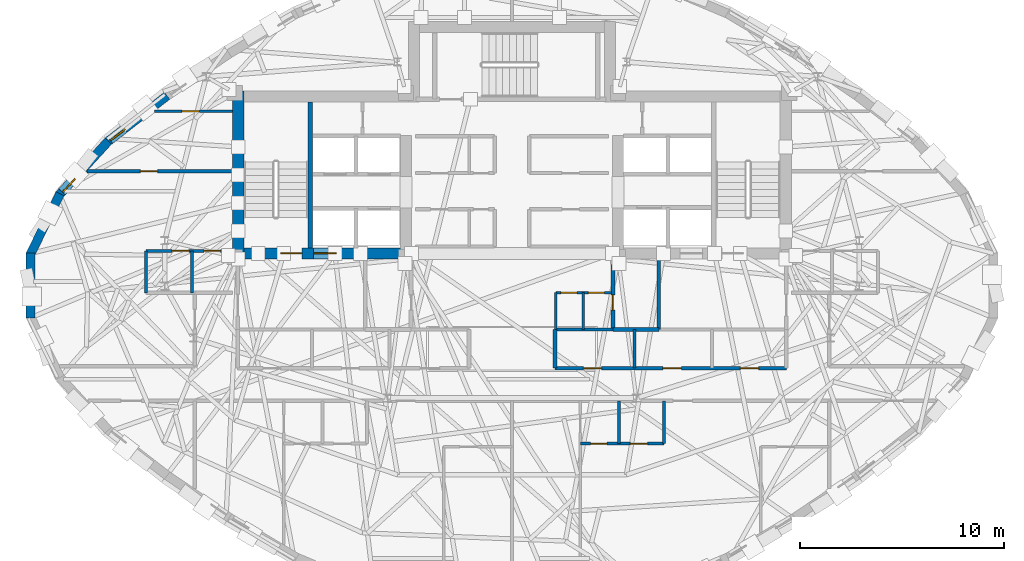
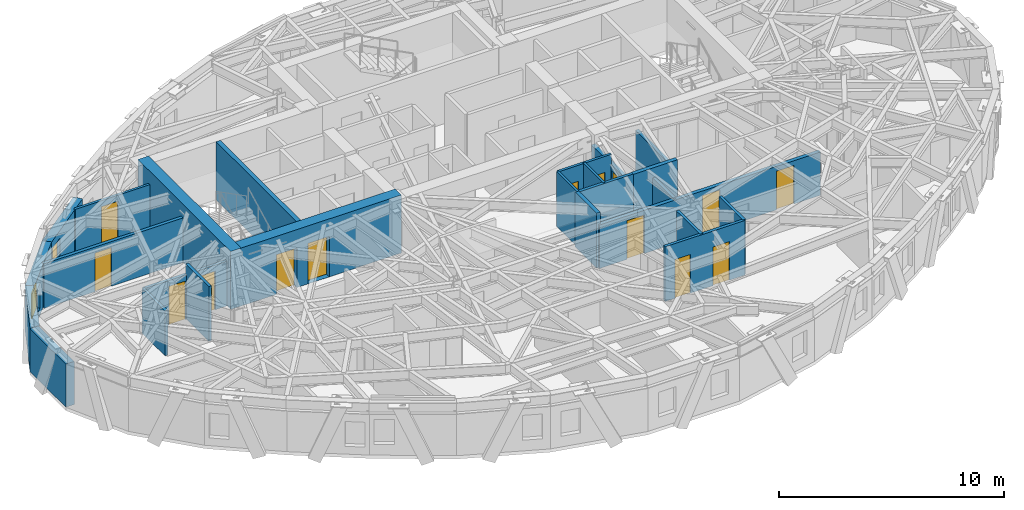
# One storey, part 7 of 13: 25 walls, 14 doors, 2 windows, 16 openings.
"""IFC4 building model written with IfcOpenShell, lengths in metres."""

from ifc_helpers import new_model, si_unit, direction, frame, frame_2d, origin, place, context, subcontext, project, spatial, rectangle, extrude, material, layer, layer_set, type_object, element, fill, save


model = new_model("IFC4")

# Units and contexts
model_context = context("Model", 3, precision=1e-05, world=origin(), true_north=direction((0.0, 1.0)))
body_context = subcontext(model_context, "Body", "Model", "MODEL_VIEW")
ifc_project = project(units=[si_unit("LENGTHUNIT", "METRE"), si_unit("AREAUNIT", "SQUARE_METRE"), si_unit("VOLUMEUNIT", "CUBIC_METRE"), si_unit("PLANEANGLEUNIT", "RADIAN"), si_unit("MASSUNIT", "GRAM", prefix="KILO")], contexts=[model_context])

# Site, building, storey
site_placement = place(None, origin())
site = spatial("IfcSite", under=ifc_project, at=site_placement, CompositionType="ELEMENT")
building_placement = place(site_placement, origin())
building = spatial("IfcBuilding", under=site, at=building_placement, Name="Keldmark Tower", CompositionType="ELEMENT")
storey_placement = place(building_placement, frame((0.0, 0.0, 210.0)))
storey = spatial("IfcBuildingStorey", under=building, at=storey_placement, Name="L58", CompositionType="ELEMENT", Elevation=210.0)

# Wall, openings, doors
ifc_material_1 = material(Name="Heavy Acoustic Plumbing Chase Gypsum Assembly", Category="gypsum")
ifc_layer_1 = layer(ifc_material_1, 0.18994140625)
ifc_layer_set_1 = layer_set([ifc_layer_1], Name="Heavy Acoustic Plumbing Chase Gypsum Assembly")
wall_type_1 = type_object("IfcWallType", Name="Heavy Wet Wall 190 mm", PredefinedType="PLUMBINGWALL", material=ifc_layer_set_1)
wall_1_placement = place(storey_placement, frame((2.10009765625, -4.050048828125, 0.0), z_axis=(0.0, 0.0, 1.0), x_axis=(1.0, 0.0, 0.0)))
wall_1 = element("IfcWall", 1, at=wall_1_placement, inside=storey, type_object=wall_type_1, Name="L58 Heavy Wet Wall 190 mm SPK-E-S", PredefinedType="PLUMBINGWALL", context=body_context, shape_type="SweptSolid", body=[
    extrude(rectangle(XDim=11.349853515625, YDim=0.18994140625, at=frame_2d((5.6748046875, 0.0))), origin(), (0.0, 0.0, 1.0), 2.35693359375),
])
opening_1_placement = place(wall_1_placement, frame((1.39990234375, 0.0, 0.0)))
opening_1 = element("IfcOpeningElement", 2, at=opening_1_placement, cuts=wall_1, Name="Opening D-IN090", PredefinedType="OPENING", context=body_context, shape_type="SweptSolid", body=[
    extrude(rectangle(XDim=0.89990234375, YDim=2.10009765625, at=frame_2d((0.449951171875, 1.050048828125))), frame((0.0, 0.10498046875, 0.0), z_axis=(0.0, -1.0, 0.0), x_axis=(1.0, 0.0, 0.0)), (0.0, 0.0, 1.0), 0.2099609375),
])
opening_2_placement = place(wall_1_placement, frame((5.300048828125, 0.0, 0.0)))
opening_2 = element("IfcOpeningElement", 3, at=opening_2_placement, cuts=wall_1, Name="Opening D-IN090", PredefinedType="OPENING", context=body_context, shape_type="SweptSolid", body=[
    extrude(rectangle(XDim=0.89990234375, YDim=2.10009765625, at=frame_2d((0.449951171875, 1.050048828125))), frame((0.0, 0.10498046875, 0.0), z_axis=(0.0, -1.0, 0.0), x_axis=(1.0, 0.0, 0.0)), (0.0, 0.0, 1.0), 0.2099609375),
])
opening_3_placement = place(wall_1_placement, frame((9.10009765625, 0.0, 0.0)))
opening_3 = element("IfcOpeningElement", 4, at=opening_3_placement, cuts=wall_1, Name="Opening D-IN090", PredefinedType="OPENING", context=body_context, shape_type="SweptSolid", body=[
    extrude(rectangle(XDim=0.89990234375, YDim=2.10009765625, at=frame_2d((0.449951171875, 1.050048828125))), frame((0.0, 0.10498046875, 0.0), z_axis=(0.0, -1.0, 0.0), x_axis=(1.0, 0.0, 0.0)), (0.0, 0.0, 1.0), 0.2099609375),
])
ifc_material_2 = material(Name="Stained American White Oak Veneer", Category="wood")
door_type_1 = type_object("IfcDoorType", Name="Interior Door 900x2100", OperationType="NOTDEFINED", PredefinedType="DOOR", material=ifc_material_2)
door_1_placement = place(opening_1_placement, origin())
door_1 = element("IfcDoor", 5, at=door_1_placement, inside=storey, type_object=door_type_1, Name="L58 Interior Door 900x2100 D-SPKE1-L58", OperationType="SINGLE_SWING_RIGHT", OverallHeight=2.10009765625, OverallWidth=0.89990234375, PredefinedType="DOOR", context=body_context, shape_type="SweptSolid", body=[
    extrude(rectangle(XDim=0.89990234375, YDim=2.10009765625, at=frame_2d((0.449951171875, 1.050048828125))), frame((0.0, 0.02490234375, 0.0), z_axis=(0.0, -1.0, 0.0), x_axis=(1.0, 0.0, 0.0)), (0.0, 0.0, 1.0), 0.050048828125),
])
fill(opening_1, door_1)
door_2_placement = place(opening_2_placement, origin())
door_2 = element("IfcDoor", 6, at=door_2_placement, inside=storey, type_object=door_type_1, Name="L58 Interior Door 900x2100 D-SPKE2-L58", OperationType="SINGLE_SWING_LEFT", OverallHeight=2.10009765625, OverallWidth=0.89990234375, PredefinedType="DOOR", context=body_context, shape_type="SweptSolid", body=[
    extrude(rectangle(XDim=0.89990234375, YDim=2.10009765625, at=frame_2d((0.449951171875, 1.050048828125))), frame((0.0, 0.02490234375, 0.0), z_axis=(0.0, -1.0, 0.0), x_axis=(1.0, 0.0, 0.0)), (0.0, 0.0, 1.0), 0.050048828125),
])
fill(opening_2, door_2)
door_3_placement = place(opening_3_placement, origin())
door_3 = element("IfcDoor", 7, at=door_3_placement, inside=storey, type_object=door_type_1, Name="L58 Interior Door 900x2100 D-SPKE3-L58", OperationType="SINGLE_SWING_RIGHT", OverallHeight=2.10009765625, OverallWidth=0.89990234375, PredefinedType="DOOR", context=body_context, shape_type="SweptSolid", body=[
    extrude(rectangle(XDim=0.89990234375, YDim=2.10009765625, at=frame_2d((0.449951171875, 1.050048828125))), frame((0.0, 0.02490234375, 0.0), z_axis=(0.0, -1.0, 0.0), x_axis=(1.0, 0.0, 0.0)), (0.0, 0.0, 1.0), 0.050048828125),
])
fill(opening_3, door_3)

# Walls
wall_2_placement = place(storey_placement, frame((2.10009765625, -4.050048828125, 0.0), z_axis=(0.0, 0.0, 1.0), x_axis=(0.0, 1.0, 0.0)))
element("IfcWall", 8, at=wall_2_placement, inside=storey, type_object=wall_type_1, Name="L58 Heavy Wet Wall 190 mm SPK-E-W", PredefinedType="PLUMBINGWALL", context=body_context, shape_type="SweptSolid", body=[
    extrude(rectangle(XDim=1.900146484375, YDim=0.18994140625, at=frame_2d((0.9501953125, 0.0))), origin(), (0.0, 0.0, 1.0), 2.969970703125),
])
ifc_material_3 = material(Name="Concrete C50/60", Category="concrete")
ifc_layer_2 = layer(ifc_material_3, 0.550048828125)
ifc_layer_set_2 = layer_set([ifc_layer_2], Name="Concrete C50/60")
wall_type_2 = type_object("IfcWallType", Name="High-Rise Core Shear Wall 550 mm", PredefinedType="SHEAR", material=ifc_layer_set_2)
wall_3_placement = place(storey_placement, frame((-13.425048828125, 1.300048828125, 0.0), z_axis=(0.0, 0.0, 1.0), x_axis=(0.0, 1.0, 0.0)))
element("IfcWall", 9, at=wall_3_placement, inside=storey, type_object=wall_type_2, Name="L58 West Core Outer Shear Wall", PredefinedType="SHEAR", context=body_context, shape_type="SweptSolid", body=[
    extrude(rectangle(XDim=8.25, YDim=0.550048828125, at=frame_2d((4.125, 0.0))), origin(), (0.0, 0.0, 1.0), 3.14990234375),
])

# Wall, openings, doors
wall_4_placement = place(storey_placement, frame((-4.925048828125, 1.574951171875, 0.0), z_axis=(0.0, 0.0, 1.0), x_axis=(-1.0, 0.0, 0.0)))
wall_4 = element("IfcWall", 10, at=wall_4_placement, inside=storey, type_object=wall_type_2, Name="L58 West Core South Shear Wall", PredefinedType="SHEAR", context=body_context, shape_type="SweptSolid", body=[
    extrude(rectangle(XDim=8.77490234375, YDim=0.550048828125, at=frame_2d((4.387451171875, 0.0))), origin(), (0.0, 0.0, 1.0), 3.14990234375),
])
opening_4_placement = place(wall_4_placement, frame((5.375, 0.0, 0.0)))
opening_4 = element("IfcOpeningElement", 11, at=opening_4_placement, cuts=wall_4, Name="Opening D-ST105", PredefinedType="OPENING", context=body_context, shape_type="SweptSolid", body=[
    extrude(rectangle(XDim=1.050048828125, YDim=2.14990234375, at=frame_2d((0.52490234375, 1.074951171875))), frame((0.0, 0.284912109375, 0.0), z_axis=(0.0, -1.0, 0.0), x_axis=(1.0, 0.0, 0.0)), (0.0, 0.0, 1.0), 0.570068359375),
])
opening_5_placement = place(wall_4_placement, frame((3.705078125, 0.0, 0.0)))
opening_5 = element("IfcOpeningElement", 12, at=opening_5_placement, cuts=wall_4, Name="Opening LD-110", PredefinedType="OPENING", context=body_context, shape_type="SweptSolid", body=[
    extrude(rectangle(XDim=1.10009765625, YDim=2.199951171875, at=frame_2d((0.550048828125, 1.10009765625))), frame((0.0, 0.284912109375, 0.0), z_axis=(0.0, -1.0, 0.0), x_axis=(1.0, 0.0, 0.0)), (0.0, 0.0, 1.0), 0.570068359375),
])
ifc_material_4 = material(Name="Brushed Bronze Hoistway Sliding Leaf", Category="metal")
door_type_2 = type_object("IfcDoorType", Name="Lift Landing Sliding Door 1100x2200", OperationType="SLIDING_TO_LEFT", PredefinedType="DOOR", material=ifc_material_4)
door_4_placement = place(opening_5_placement, origin())
door_4 = element("IfcDoor", 13, at=door_4_placement, inside=storey, type_object=door_type_2, Name="L58 Lift Landing Sliding Door 1100x2200 LD-EL-FS1-L58", OperationType="SLIDING_TO_LEFT", OverallHeight=2.199951171875, OverallWidth=1.10009765625, PredefinedType="DOOR", context=body_context, shape_type="SweptSolid", body=[
    extrude(rectangle(XDim=1.10009765625, YDim=2.199951171875, at=frame_2d((0.550048828125, 1.10009765625))), frame((0.0, 0.02490234375, 0.0), z_axis=(0.0, -1.0, 0.0), x_axis=(1.0, 0.0, 0.0)), (0.0, 0.0, 1.0), 0.050048828125),
])
fill(opening_5, door_4)
ifc_material_5 = material(Name="Hollow Metal Fire-Rated Door Assembly", Category="metal")
door_type_3 = type_object("IfcDoorType", Name="Stair Fire Door 1050x2150", OperationType="NOTDEFINED", PredefinedType="DOOR", material=ifc_material_5)
door_5_placement = place(opening_4_placement, origin())
door_5 = element("IfcDoor", 14, at=door_5_placement, inside=storey, type_object=door_type_3, Name="L58 Stair Fire Door 1050x2150 D-ST1-L58", OperationType="SINGLE_SWING_RIGHT", OverallHeight=2.14990234375, OverallWidth=1.050048828125, PredefinedType="DOOR", context=body_context, shape_type="SweptSolid", body=[
    extrude(rectangle(XDim=1.050048828125, YDim=2.14990234375, at=frame_2d((0.52490234375, 1.074951171875))), frame((0.0, 0.02490234375, 0.0), z_axis=(0.0, -1.0, 0.0), x_axis=(1.0, 0.0, 0.0)), (0.0, 0.0, 1.0), 0.050048828125),
])
fill(opening_4, door_5)

ifc_material_6 = material(Name="Acoustic Gypsum Board Interior Partition", Category="gypsum")
ifc_layer_3 = layer(ifc_material_6, 0.1298828125)
ifc_layer_set_3 = layer_set([ifc_layer_3], Name="Acoustic Gypsum Board Interior Partition")
wall_type_3 = type_object("IfcWallType", Name="Interior Partition 130 mm", PredefinedType="PARTITIONING", material=ifc_layer_set_3)
wall_5_placement = place(storey_placement, frame((2.14990234375, -0.35009765625, 0.0), z_axis=(0.0, 0.0, 1.0), x_axis=(1.0, 0.0, 0.0)))
wall_5 = element("IfcWall", 15, at=wall_5_placement, inside=storey, type_object=wall_type_3, Name="L58 Interior Partition 130 mm CSC-E-N", PredefinedType="PARTITIONING", context=body_context, shape_type="SweptSolid", body=[
    extrude(rectangle(XDim=2.72998046875, YDim=0.1298828125, at=frame_2d((1.364990234375, 0.0))), origin(), (0.0, 0.0, 1.0), 2.969970703125),
])
opening_6_placement = place(wall_5_placement, frame((0.25, 0.0, 0.0)))
opening_6 = element("IfcOpeningElement", 16, at=opening_6_placement, cuts=wall_5, Name="Opening D-CL078", PredefinedType="OPENING", context=body_context, shape_type="SweptSolid", body=[
    extrude(rectangle(XDim=0.780029296875, YDim=2.10009765625, at=frame_2d((0.39013671875, 1.050048828125))), frame((0.0, 0.074951171875, 0.0), z_axis=(0.0, -1.0, 0.0), x_axis=(1.0, 0.0, 0.0)), (0.0, 0.0, 1.0), 0.14990234375),
])
opening_7_placement = place(wall_5_placement, frame((1.60009765625, 0.0, 0.0)))
opening_7 = element("IfcOpeningElement", 17, at=opening_7_placement, cuts=wall_5, Name="Opening D-CL078", PredefinedType="OPENING", context=body_context, shape_type="SweptSolid", body=[
    extrude(rectangle(XDim=0.780029296875, YDim=2.10009765625, at=frame_2d((0.39013671875, 1.050048828125))), frame((0.0, 0.074951171875, 0.0), z_axis=(0.0, -1.0, 0.0), x_axis=(1.0, 0.0, 0.0)), (0.0, 0.0, 1.0), 0.14990234375),
])
ifc_material_7 = material(Name="Flush Utility Closet Timber Door", Category="wood")
door_type_4 = type_object("IfcDoorType", Name="Closet Door 780x2100", OperationType="NOTDEFINED", PredefinedType="DOOR", material=ifc_material_7)
door_6_placement = place(opening_6_placement, origin())
door_6 = element("IfcDoor", 18, at=door_6_placement, inside=storey, type_object=door_type_4, Name="L58 Closet Door 780x2100 D-CSCE1-L58", OperationType="SINGLE_SWING_LEFT", OverallHeight=2.10009765625, OverallWidth=0.780029296875, PredefinedType="DOOR", context=body_context, shape_type="SweptSolid", body=[
    extrude(rectangle(XDim=0.780029296875, YDim=2.10009765625, at=frame_2d((0.39013671875, 1.050048828125))), frame((0.0, 0.02490234375, 0.0), z_axis=(0.0, -1.0, 0.0), x_axis=(1.0, 0.0, 0.0)), (0.0, 0.0, 1.0), 0.050048828125),
])
fill(opening_6, door_6)
door_7_placement = place(opening_7_placement, origin())
door_7 = element("IfcDoor", 19, at=door_7_placement, inside=storey, type_object=door_type_4, Name="L58 Closet Door 780x2100 D-CSCE2-L58", OperationType="SINGLE_SWING_RIGHT", OverallHeight=2.10009765625, OverallWidth=0.780029296875, PredefinedType="DOOR", context=body_context, shape_type="SweptSolid", body=[
    extrude(rectangle(XDim=0.780029296875, YDim=2.10009765625, at=frame_2d((0.39013671875, 1.050048828125))), frame((0.0, 0.02490234375, 0.0), z_axis=(0.0, -1.0, 0.0), x_axis=(1.0, 0.0, 0.0)), (0.0, 0.0, 1.0), 0.050048828125),
])
fill(opening_7, door_7)

# Walls
for number, where, z_axis, x_axis, name in (
    (20, (2.14990234375, -2.14990234375, 0.0), (0.0, 0.0, 1.0), (0.0, 1.0, 0.0), "L58 Interior Partition 130 mm CSC-E-W"),
    (21, (3.5, -2.14990234375, 0.0), (0.0, 0.0, 1.0), (0.0, 1.0, 0.0), "L58 Interior Partition 130 mm CSC-E-M"),
):
    element("IfcWall", number, at=place(storey_placement, frame(where, z_axis=z_axis, x_axis=x_axis)), inside=storey, type_object=wall_type_3, Name=name, PredefinedType="PARTITIONING", context=body_context, shape_type="SweptSolid", body=[
        extrude(rectangle(XDim=1.7998046875, YDim=0.1298828125, at=frame_2d((0.89990234375, 0.0))), origin(), (0.0, 0.0, 1.0), 2.969970703125),
    ])

# Wall, opening, door
wall_6_placement = place(storey_placement, frame((-17.526123046875, 8.550048828125, 0.0), z_axis=(0.0, 0.0, 1.0), x_axis=(1.0, 0.0, 0.0)))
wall_6 = element("IfcWall", 22, at=wall_6_placement, inside=storey, type_object=wall_type_3, Name="L58 Interior Partition 130 mm UC-NDIV2", PredefinedType="PARTITIONING", context=body_context, shape_type="SweptSolid", body=[
    extrude(rectangle(XDim=3.826171875, YDim=0.1298828125, at=frame_2d((1.9130859375, 0.0))), origin(), (0.0, 0.0, 1.0), 2.423095703125),
])
opening_8_placement = place(wall_6_placement, frame((1.33984375, 0.0, 0.0)))
opening_8 = element("IfcOpeningElement", 23, at=opening_8_placement, cuts=wall_6, Name="Opening D-IN085", PredefinedType="OPENING", context=body_context, shape_type="SweptSolid", body=[
    extrude(rectangle(XDim=0.85009765625, YDim=2.10009765625, at=frame_2d((0.425048828125, 1.050048828125))), frame((0.0, 0.074951171875, 0.0), z_axis=(0.0, -1.0, 0.0), x_axis=(1.0, 0.0, 0.0)), (0.0, 0.0, 1.0), 0.14990234375),
])
ifc_material_8 = material(Name="Painted Architectural Wood", Category="wood")
door_type_5 = type_object("IfcDoorType", Name="Interior Door 850x2100", OperationType="NOTDEFINED", PredefinedType="DOOR", material=ifc_material_8)
door_8_placement = place(opening_8_placement, origin())
door_8 = element("IfcDoor", 24, at=door_8_placement, inside=storey, type_object=door_type_5, Name="L58 Interior Door 850x2100 D-UC-BR2-L58", OperationType="SINGLE_SWING_RIGHT", OverallHeight=2.10009765625, OverallWidth=0.85009765625, PredefinedType="DOOR", context=body_context, shape_type="SweptSolid", body=[
    extrude(rectangle(XDim=0.85009765625, YDim=2.10009765625, at=frame_2d((0.425048828125, 1.050048828125))), frame((0.0, 0.02490234375, 0.0), z_axis=(0.0, -1.0, 0.0), x_axis=(1.0, 0.0, 0.0)), (0.0, 0.0, 1.0), 0.050048828125),
])
fill(opening_8, door_8)

# Wall
ifc_material_9 = material(Name="Type X Fire-Rated Gypsum Partition Assembly", Category="gypsum")
ifc_layer_4 = layer(ifc_material_9, 0.1650390625)
ifc_layer_set_4 = layer_set([ifc_layer_4], Name="Type X Fire-Rated Gypsum Partition Assembly")
wall_type_4 = type_object("IfcWallType", Name="Rated Partition 165 mm", PredefinedType="PARTITIONING", material=ifc_layer_set_4)
wall_7_placement = place(storey_placement, frame((7.199951171875, -2.14990234375, 0.0), z_axis=(0.0, 0.0, 1.0), x_axis=(0.0, 1.0, 0.0)))
element("IfcWall", 25, at=wall_7_placement, inside=storey, type_object=wall_type_4, Name="L58 Rated Partition 165 mm FSAE-E-W", PredefinedType="PARTITIONING", context=body_context, shape_type="SweptSolid", body=[
    extrude(rectangle(XDim=3.5, YDim=0.1650390625, at=frame_2d((1.75, 0.0))), origin(), (0.0, 0.0, 1.0), 2.423095703125),
])

# Wall, opening, door
wall_8_placement = place(storey_placement, frame((-20.8447265625, 5.60009765625, 0.0), z_axis=(0.0, 0.0, 1.0), x_axis=(1.0, 0.0, 0.0)))
wall_8 = element("IfcWall", 26, at=wall_8_placement, inside=storey, type_object=wall_type_4, Name="L58 Rated Partition 165 mm RW-NDIV", PredefinedType="PARTITIONING", context=body_context, shape_type="SweptSolid", body=[
    extrude(rectangle(XDim=7.144775390625, YDim=0.1650390625, at=frame_2d((3.572265625, 0.0))), origin(), (0.0, 0.0, 1.0), 2.423095703125),
])
opening_9_placement = place(wall_8_placement, frame((2.6181640625, 0.0, 0.0)))
opening_9 = element("IfcOpeningElement", 27, at=opening_9_placement, cuts=wall_8, Name="Opening D-BR085", PredefinedType="OPENING", context=body_context, shape_type="SweptSolid", body=[
    extrude(rectangle(XDim=0.85009765625, YDim=2.10009765625, at=frame_2d((0.425048828125, 1.050048828125))), frame((0.0, 0.092529296875, 0.0), z_axis=(0.0, -1.0, 0.0), x_axis=(1.0, 0.0, 0.0)), (0.0, 0.0, 1.0), 0.18505859375),
])
ifc_material_10 = material(Name="Solid-Core Stained Walnut Wood", Category="wood")
door_type_6 = type_object("IfcDoorType", Name="Bedroom Door 850x2100", OperationType="NOTDEFINED", PredefinedType="DOOR", material=ifc_material_10)
door_9_placement = place(opening_9_placement, origin())
door_9 = element("IfcDoor", 28, at=door_9_placement, inside=storey, type_object=door_type_6, Name="L58 Bedroom Door 850x2100 D-UC-BR1-L58", OperationType="SINGLE_SWING_LEFT", OverallHeight=2.10009765625, OverallWidth=0.85009765625, PredefinedType="DOOR", context=body_context, shape_type="SweptSolid", body=[
    extrude(rectangle(XDim=0.85009765625, YDim=2.10009765625, at=frame_2d((0.425048828125, 1.050048828125))), frame((0.0, 0.02490234375, 0.0), z_axis=(0.0, -1.0, 0.0), x_axis=(1.0, 0.0, 0.0)), (0.0, 0.0, 1.0), 0.050048828125),
])
fill(opening_9, door_9)

# Wall
ifc_material_11 = material(Name="Fire-Resistant Type X Gypsum Shaftliner Coreboard", Category="gypsum")
ifc_layer_5 = layer(ifc_material_11, 0.199951171875)
ifc_layer_set_5 = layer_set([ifc_layer_5], Name="Fire-Resistant Type X Gypsum Shaftliner Coreboard")
wall_type_5 = type_object("IfcWallType", Name="Shaft Wall 200 mm", PredefinedType="SOLIDWALL", material=ifc_layer_set_5)
wall_9_placement = place(storey_placement, frame((4.949951171875, -2.14990234375, 0.0), z_axis=(0.0, 0.0, 1.0), x_axis=(1.0, 0.0, 0.0)))
element("IfcWall", 29, at=wall_9_placement, inside=storey, type_object=wall_type_5, Name="L58 Shaft Wall 200 mm RIS-SE-S", PredefinedType="SOLIDWALL", context=body_context, shape_type="SweptSolid", body=[
    extrude(rectangle(XDim=2.25, YDim=0.199951171875, at=frame_2d((1.125, 0.0))), origin(), (0.0, 0.0, 1.0), 2.969970703125),
])

# Wall, opening, door
wall_10_placement = place(storey_placement, frame((4.949951171875, -2.14990234375, 0.0), z_axis=(0.0, 0.0, 1.0), x_axis=(0.0, 1.0, 0.0)))
wall_10 = element("IfcWall", 30, at=wall_10_placement, inside=storey, type_object=wall_type_5, Name="L58 Shaft Wall 200 mm RIS-SE-W", PredefinedType="SOLIDWALL", context=body_context, shape_type="SweptSolid", body=[
    extrude(rectangle(XDim=3.5, YDim=0.199951171875, at=frame_2d((1.75, 0.0))), origin(), (0.0, 0.0, 1.0), 2.423095703125),
])
opening_10_placement = place(wall_10_placement, frame((0.949951171875, 0.0, 0.0)))
opening_10 = element("IfcOpeningElement", 31, at=opening_10_placement, cuts=wall_10, Name="Opening D-RS075", PredefinedType="OPENING", context=body_context, shape_type="SweptSolid", body=[
    extrude(rectangle(XDim=0.75, YDim=2.10009765625, at=frame_2d((0.375, 1.050048828125))), frame((0.0, 0.10986328125, 0.0), z_axis=(0.0, -1.0, 0.0), x_axis=(1.0, 0.0, 0.0)), (0.0, 0.0, 1.0), 0.219970703125),
])
ifc_material_12 = material(Name="Galvanized Fire-Rated Access Leaf", Category="metal")
door_type_7 = type_object("IfcDoorType", Name="Riser Access Door 750x2100", OperationType="NOTDEFINED", PredefinedType="DOOR", material=ifc_material_12)
door_10_placement = place(opening_10_placement, origin())
door_10 = element("IfcDoor", 32, at=door_10_placement, inside=storey, type_object=door_type_7, Name="L58 Riser Access Door 750x2100 D-RISSE-L58", OperationType="SINGLE_SWING_LEFT", OverallHeight=2.10009765625, OverallWidth=0.75, PredefinedType="DOOR", context=body_context, shape_type="SweptSolid", body=[
    extrude(rectangle(XDim=0.75, YDim=2.10009765625, at=frame_2d((0.375, 1.050048828125))), frame((0.0, 0.02490234375, 0.0), z_axis=(0.0, -1.0, 0.0), x_axis=(1.0, 0.0, 0.0)), (0.0, 0.0, 1.0), 0.050048828125),
])
fill(opening_10, door_10)

# Wall
ifc_material_13 = material(Name="Concrete C50/60", Category="concrete")
ifc_layer_6 = layer(ifc_material_13, 0.219970703125)
ifc_layer_set_6 = layer_set([ifc_layer_6], Name="Concrete C50/60")
wall_type_6 = type_object("IfcWallType", Name="Stair Core Shear Wall 220 mm", PredefinedType="SHEAR", material=ifc_layer_set_6)
wall_11_placement = place(storey_placement, frame((-9.889892578125, 1.85009765625, 0.0), z_axis=(0.0, 0.0, 1.0), x_axis=(0.0, 1.0, 0.0)))
element("IfcWall", 33, at=wall_11_placement, inside=storey, type_object=wall_type_6, Name="L58 West Stair Core Shear Wall", PredefinedType="SHEAR", context=body_context, shape_type="SweptSolid", body=[
    extrude(rectangle(XDim=7.14990234375, YDim=0.219970703125, at=frame_2d((3.574951171875, 0.0))), origin(), (0.0, 0.0, 1.0), 3.14990234375),
])

# Wall, opening, window
ifc_material_14 = material(Name="Ironspot Manganese Brick and Kasota Buff Limestone Spandrel Assembly", Category="masonry")
ifc_layer_7 = layer(ifc_material_14, 0.43994140625)
ifc_layer_set_7 = layer_set([ifc_layer_7], Name="Ironspot Manganese Brick and Kasota Buff Limestone Spandrel Assembly")
wall_type_7 = type_object("IfcWallType", Name="Tower Brick Pier and Spandrel Wall 440 mm", PredefinedType="STANDARD", material=ifc_layer_set_7)
wall_12_placement = place(storey_placement, frame((-19.823486328125, 7.0615234375, 0.0), z_axis=(0.0, 0.0, 1.0), x_axis=(0.791016617957, 0.61179466336, 0.0)))
wall_12 = element("IfcWall", 34, at=wall_12_placement, inside=storey, type_object=wall_type_7, Name="L58 Exterior Brick and Spandrel Wall 13", PredefinedType="STANDARD", context=body_context, shape_type="SweptSolid", body=[
    extrude(rectangle(XDim=3.68212890625, YDim=0.43994140625, at=frame_2d((1.841064453125, 0.0))), origin(), (0.0, 0.0, 1.0), 2.3359375),
])
opening_11_placement = place(wall_12_placement, frame((0.139892578125, 0.0, 0.580078125)))
opening_11 = element("IfcOpeningElement", 35, at=opening_11_placement, cuts=wall_12, Name="Opening W-09", PredefinedType="OPENING", context=body_context, shape_type="SweptSolid", body=[
    extrude(rectangle(XDim=0.89990234375, YDim=1.35009765625, at=frame_2d((0.449951171875, 0.675048828125))), frame((0.0, 0.22998046875, 0.0), z_axis=(0.0, -1.0, 0.0), x_axis=(1.0, 0.0, 0.0)), (0.0, 0.0, 1.0), 0.4599609375),
])
ifc_material_15 = material(Name="Thermally Broken Anodized Aluminum and Triple Low-E Argon Glazing", Category="aluminium")
window_type = type_object("IfcWindowType", Name="Corner Pier Deep-Set Window 900x1350", PartitioningType="SINGLE_PANEL", PredefinedType="WINDOW", material=ifc_material_15)
window_1_placement = place(opening_11_placement, origin())
window_1 = element("IfcWindow", 36, at=window_1_placement, inside=storey, type_object=window_type, Name="L58 Pier Window RM03", OverallHeight=1.35009765625, OverallWidth=0.89990234375, PartitioningType="SINGLE_PANEL", PredefinedType="WINDOW", context=body_context, shape_type="SweptSolid", body=[
    extrude(rectangle(XDim=0.89990234375, YDim=1.35009765625, at=frame_2d((0.449951171875, 0.675048828125))), frame((0.0, -0.010009765625, 0.0), z_axis=(0.0, -1.0, 0.0), x_axis=(1.0, 0.0, 0.0)), (0.0, 0.0, 1.0), 0.06005859375),
])
fill(opening_11, window_1)

wall_13_placement = place(storey_placement, frame((-22.201171875, 4.452880859375, 0.0), z_axis=(0.0, 0.0, 1.0), x_axis=(0.674353738675, 0.738408447362, 0.0)))
wall_13 = element("IfcWall", 37, at=wall_13_placement, inside=storey, type_object=wall_type_7, Name="L58 Exterior Brick and Spandrel Wall 14", PredefinedType="STANDARD", context=body_context, shape_type="SweptSolid", body=[
    extrude(rectangle(XDim=3.567626953125, YDim=0.43994140625, at=frame_2d((1.78369140625, 0.0))), origin(), (0.0, 0.0, 1.0), 2.3359375),
])
opening_12_placement = place(wall_13_placement, frame((0.199951171875, 0.0, 0.419921875)))
opening_12 = element("IfcOpeningElement", 38, at=opening_12_placement, cuts=wall_13, Name="Opening W-09", PredefinedType="OPENING", context=body_context, shape_type="SweptSolid", body=[
    extrude(rectangle(XDim=0.89990234375, YDim=1.35009765625, at=frame_2d((0.449951171875, 0.675048828125))), frame((0.0, 0.22998046875, 0.0), z_axis=(0.0, -1.0, 0.0), x_axis=(1.0, 0.0, 0.0)), (0.0, 0.0, 1.0), 0.4599609375),
])
window_2_placement = place(opening_12_placement, origin())
window_2 = element("IfcWindow", 39, at=window_2_placement, inside=storey, type_object=window_type, Name="L58 Deep-Set Window 14", OverallHeight=1.35009765625, OverallWidth=0.89990234375, PartitioningType="SINGLE_PANEL", PredefinedType="WINDOW", context=body_context, shape_type="SweptSolid", body=[
    extrude(rectangle(XDim=0.89990234375, YDim=1.35009765625, at=frame_2d((0.449951171875, 0.675048828125))), frame((0.0, -0.010009765625, 0.0), z_axis=(0.0, -1.0, 0.0), x_axis=(1.0, 0.0, 0.0)), (0.0, 0.0, 1.0), 0.06005859375),
])
fill(opening_12, window_2)

# Walls
wall_14_placement = place(storey_placement, frame((-23.63623046875, 1.49560546875, 0.0), z_axis=(0.0, 0.0, 1.0), x_axis=(0.439000922584, 0.898486610902, 0.0)))
element("IfcWall", 40, at=wall_14_placement, inside=storey, type_object=wall_type_7, Name="L58 Exterior Brick and Spandrel Wall 15", PredefinedType="STANDARD", context=body_context, shape_type="SweptSolid", body=[
    extrude(rectangle(XDim=3.34912109375, YDim=0.43994140625, at=frame_2d((1.674560546875, 0.0))), origin(), (0.0, 0.0, 1.0), 2.3359375),
])
wall_15_placement = place(storey_placement, frame((-23.614013671875, -1.59228515625, 0.0), z_axis=(0.0, 0.0, 1.0), x_axis=(0.0, 1.0, 0.0)))
element("IfcWall", 41, at=wall_15_placement, inside=storey, type_object=wall_type_7, Name="L58 Exterior Brick and Spandrel Wall 16", PredefinedType="STANDARD", context=body_context, shape_type="SweptSolid", body=[
    extrude(rectangle(XDim=3.1845703125, YDim=0.43994140625, at=frame_2d((1.59228515625, 0.0))), origin(), (0.0, 0.0, 1.0), 2.3359375),
])
ifc_material_16 = material(Name="Moisture-Resistant Gypsum Plumbing Partition", Category="gypsum")
ifc_layer_8 = layer(ifc_material_16, 0.14990234375)
ifc_layer_set_8 = layer_set([ifc_layer_8], Name="Moisture-Resistant Gypsum Plumbing Partition")
wall_type_8 = type_object("IfcWallType", Name="Wet Wall 150 mm", PredefinedType="PLUMBINGWALL", material=ifc_layer_set_8)
wall_16_placement = place(storey_placement, frame((2.10009765625, -2.14990234375, 0.0), z_axis=(0.0, 0.0, 1.0), x_axis=(1.0, 0.0, 0.0)))
element("IfcWall", 42, at=wall_16_placement, inside=storey, type_object=wall_type_8, Name="L58 Wet Wall 150 mm SPK-E-N", PredefinedType="PLUMBINGWALL", context=body_context, shape_type="SweptSolid", body=[
    extrude(rectangle(XDim=2.849853515625, YDim=0.14990234375, at=frame_2d((1.4248046875, 0.0))), origin(), (0.0, 0.0, 1.0), 2.969970703125),
])
wall_17_placement = place(storey_placement, frame((6.0, -4.050048828125, 0.0), z_axis=(0.0, 0.0, 1.0), x_axis=(0.0, 1.0, 0.0)))
element("IfcWall", 43, at=wall_17_placement, inside=storey, type_object=wall_type_8, Name="L58 Wet Wall 150 mm SPK-E-D1", PredefinedType="PLUMBINGWALL", context=body_context, shape_type="SweptSolid", body=[
    extrude(rectangle(XDim=1.900146484375, YDim=0.14990234375, at=frame_2d((0.9501953125, 0.0))), origin(), (0.0, 0.0, 1.0), 2.430908203125),
])

# Wall, openings, doors
wall_18_placement = place(storey_placement, frame((3.35009765625, -7.75, 0.0), z_axis=(0.0, 0.0, 1.0), x_axis=(1.0, 0.0, 0.0)))
wall_18 = element("IfcWall", 44, at=wall_18_placement, inside=storey, type_object=wall_type_8, Name="L58 Wet Wall 150 mm UB-BK-S", PredefinedType="PLUMBINGWALL", context=body_context, shape_type="SweptSolid", body=[
    extrude(rectangle(XDim=4.099853515625, YDim=0.14990234375, at=frame_2d((2.0498046875, 0.0))), origin(), (0.0, 0.0, 1.0), 2.969970703125),
])
opening_13_placement = place(wall_18_placement, frame((0.5, 0.0, 0.0)))
opening_13 = element("IfcOpeningElement", 45, at=opening_13_placement, cuts=wall_18, Name="Opening D-BT080", PredefinedType="OPENING", context=body_context, shape_type="SweptSolid", body=[
    extrude(rectangle(XDim=0.800048828125, YDim=2.10009765625, at=frame_2d((0.39990234375, 1.050048828125))), frame((0.0, 0.0849609375, 0.0), z_axis=(0.0, -1.0, 0.0), x_axis=(1.0, 0.0, 0.0)), (0.0, 0.0, 1.0), 0.169921875),
])
opening_14_placement = place(wall_18_placement, frame((2.449951171875, 0.0, 0.0)))
opening_14 = element("IfcOpeningElement", 46, at=opening_14_placement, cuts=wall_18, Name="Opening D-IN085", PredefinedType="OPENING", context=body_context, shape_type="SweptSolid", body=[
    extrude(rectangle(XDim=0.85009765625, YDim=2.10009765625, at=frame_2d((0.425048828125, 1.050048828125))), frame((0.0, 0.0849609375, 0.0), z_axis=(0.0, -1.0, 0.0), x_axis=(1.0, 0.0, 0.0)), (0.0, 0.0, 1.0), 0.169921875),
])
ifc_material_17 = material(Name="Moisture-Sealed Stained Wood", Category="wood")
door_type_8 = type_object("IfcDoorType", Name="Bathroom Door 800x2100", OperationType="NOTDEFINED", PredefinedType="DOOR", material=ifc_material_17)
door_11_placement = place(opening_13_placement, origin())
door_11 = element("IfcDoor", 47, at=door_11_placement, inside=storey, type_object=door_type_8, Name="L58 Bathroom Door 800x2100 D-UB-BATH-L58", OperationType="SINGLE_SWING_LEFT", OverallHeight=2.10009765625, OverallWidth=0.800048828125, PredefinedType="DOOR", context=body_context, shape_type="SweptSolid", body=[
    extrude(rectangle(XDim=0.800048828125, YDim=2.10009765625, at=frame_2d((0.39990234375, 1.050048828125))), frame((0.0, 0.02490234375, 0.0), z_axis=(0.0, -1.0, 0.0), x_axis=(1.0, 0.0, 0.0)), (0.0, 0.0, 1.0), 0.050048828125),
])
fill(opening_13, door_11)
door_12_placement = place(opening_14_placement, origin())
door_12 = element("IfcDoor", 48, at=door_12_placement, inside=storey, type_object=door_type_5, Name="L58 Interior Door 850x2100 D-UB-KIT-L58", OperationType="SINGLE_SWING_RIGHT", OverallHeight=2.10009765625, OverallWidth=0.85009765625, PredefinedType="DOOR", context=body_context, shape_type="SweptSolid", body=[
    extrude(rectangle(XDim=0.85009765625, YDim=2.10009765625, at=frame_2d((0.425048828125, 1.050048828125))), frame((0.0, 0.02490234375, 0.0), z_axis=(0.0, -1.0, 0.0), x_axis=(1.0, 0.0, 0.0)), (0.0, 0.0, 1.0), 0.050048828125),
])
fill(opening_14, door_12)

# Walls
for number, where, z_axis, x_axis, name in (
    (49, (5.25, -7.75, 0.0), (0.0, 0.0, 1.0), (0.0, 1.0, 0.0), "L58 Wet Wall 150 mm UB-BK-M"),
    (50, (7.449951171875, -7.75, 0.0), (0.0, 0.0, 1.0), (0.0, 1.0, 0.0), "L58 Wet Wall 150 mm UB-BK-E"),
):
    element("IfcWall", number, at=place(storey_placement, frame(where, z_axis=z_axis, x_axis=x_axis)), inside=storey, type_object=wall_type_8, Name=name, PredefinedType="PLUMBINGWALL", context=body_context, shape_type="SweptSolid", body=[
        extrude(rectangle(XDim=2.10009765625, YDim=0.14990234375, at=frame_2d((1.050048828125, 0.0))), origin(), (0.0, 0.0, 1.0), 2.969970703125),
    ])

# Wall, openings, doors
wall_19_placement = place(storey_placement, frame((-17.949951171875, 1.699951171875, 0.0), z_axis=(0.0, 0.0, 1.0), x_axis=(1.0, 0.0, 0.0)))
wall_19 = element("IfcWall", 51, at=wall_19_placement, inside=storey, type_object=wall_type_8, Name="L58 Wet Wall 150 mm UC-BK-N", PredefinedType="PLUMBINGWALL", context=body_context, shape_type="SweptSolid", body=[
    extrude(rectangle(XDim=4.25, YDim=0.14990234375, at=frame_2d((2.125, 0.0))), origin(), (0.0, 0.0, 1.0), 2.423095703125),
])
opening_15_placement = place(wall_19_placement, frame((2.85009765625, 0.0, 0.0)))
opening_15 = element("IfcOpeningElement", 52, at=opening_15_placement, cuts=wall_19, Name="Opening D-BT080", PredefinedType="OPENING", context=body_context, shape_type="SweptSolid", body=[
    extrude(rectangle(XDim=0.800048828125, YDim=2.10009765625, at=frame_2d((0.39990234375, 1.050048828125))), frame((0.0, 0.0849609375, 0.0), z_axis=(0.0, -1.0, 0.0), x_axis=(1.0, 0.0, 0.0)), (0.0, 0.0, 1.0), 0.169921875),
])
opening_16_placement = place(wall_19_placement, frame((1.27001953125, 0.0, 0.0)))
opening_16 = element("IfcOpeningElement", 53, at=opening_16_placement, cuts=wall_19, Name="Opening D-IN085", PredefinedType="OPENING", context=body_context, shape_type="SweptSolid", body=[
    extrude(rectangle(XDim=0.85009765625, YDim=2.10009765625, at=frame_2d((0.425048828125, 1.050048828125))), frame((0.0, 0.0849609375, 0.0), z_axis=(0.0, -1.0, 0.0), x_axis=(1.0, 0.0, 0.0)), (0.0, 0.0, 1.0), 0.169921875),
])
door_13_placement = place(opening_15_placement, origin())
door_13 = element("IfcDoor", 54, at=door_13_placement, inside=storey, type_object=door_type_8, Name="L58 Bathroom Door 800x2100 D-UC-BATH-L58", OperationType="SINGLE_SWING_LEFT", OverallHeight=2.10009765625, OverallWidth=0.800048828125, PredefinedType="DOOR", context=body_context, shape_type="SweptSolid", body=[
    extrude(rectangle(XDim=0.800048828125, YDim=2.10009765625, at=frame_2d((0.39990234375, 1.050048828125))), frame((0.0, 0.02490234375, 0.0), z_axis=(0.0, -1.0, 0.0), x_axis=(1.0, 0.0, 0.0)), (0.0, 0.0, 1.0), 0.050048828125),
])
fill(opening_15, door_13)
door_14_placement = place(opening_16_placement, origin())
door_14 = element("IfcDoor", 55, at=door_14_placement, inside=storey, type_object=door_type_5, Name="L58 Interior Door 850x2100 D-UC-KIT-L58", OperationType="SINGLE_SWING_RIGHT", OverallHeight=2.10009765625, OverallWidth=0.85009765625, PredefinedType="DOOR", context=body_context, shape_type="SweptSolid", body=[
    extrude(rectangle(XDim=0.85009765625, YDim=2.10009765625, at=frame_2d((0.425048828125, 1.050048828125))), frame((0.0, 0.02490234375, 0.0), z_axis=(0.0, -1.0, 0.0), x_axis=(1.0, 0.0, 0.0)), (0.0, 0.0, 1.0), 0.050048828125),
])
fill(opening_16, door_14)

# Walls
wall_20_placement = place(storey_placement, frame((-15.699951171875, -0.35009765625, 0.0), z_axis=(0.0, 0.0, 1.0), x_axis=(0.0, 1.0, 0.0)))
element("IfcWall", 56, at=wall_20_placement, inside=storey, type_object=wall_type_8, Name="L58 Wet Wall 150 mm UC-BK-M", PredefinedType="PLUMBINGWALL", context=body_context, shape_type="SweptSolid", body=[
    extrude(rectangle(XDim=2.050048828125, YDim=0.14990234375, at=frame_2d((1.02490234375, 0.0))), origin(), (0.0, 0.0, 1.0), 2.969970703125),
])
wall_21_placement = place(storey_placement, frame((-17.949951171875, -0.35009765625, 0.0), z_axis=(0.0, 0.0, 1.0), x_axis=(0.0, 1.0, 0.0)))
element("IfcWall", 57, at=wall_21_placement, inside=storey, type_object=wall_type_8, Name="L58 Wet Wall 150 mm UC-BK-OUT", PredefinedType="PLUMBINGWALL", context=body_context, shape_type="SweptSolid", body=[
    extrude(rectangle(XDim=2.050048828125, YDim=0.14990234375, at=frame_2d((1.02490234375, 0.0))), origin(), (0.0, 0.0, 1.0), 2.423095703125),
])

save(model, "model.ifc")
